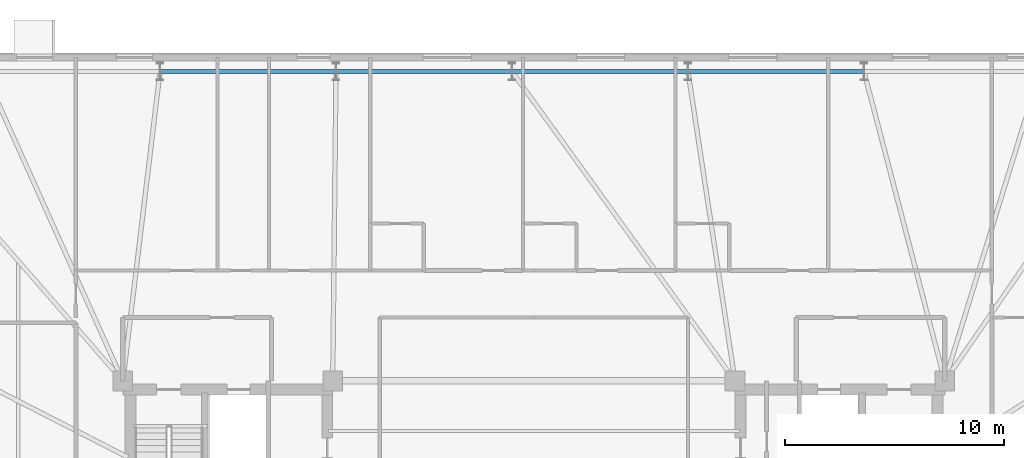
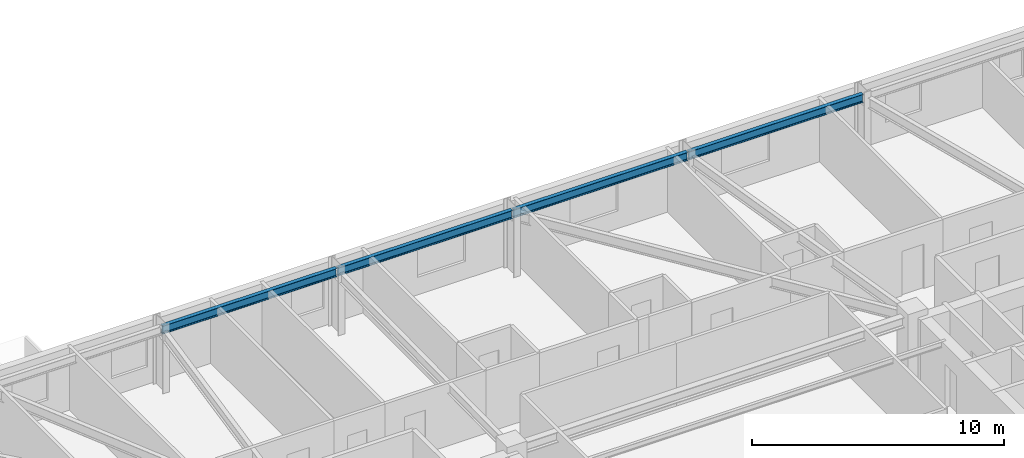
# One storey, part 8 of 17: 4 beams.
"""IFC4 building model written with IfcOpenShell, lengths in metres."""

from ifc_helpers import new_model, si_unit, direction, frame, origin, origin_2d, place, context, subcontext, project, spatial, i_section, extrude, material, material_profile, profile_set, type_object, element, save


model = new_model("IFC4")

# Units and contexts
model_context = context("Model", 3, precision=1e-05, world=origin(), true_north=direction((0.0, 1.0)))
body_context = subcontext(model_context, "Body", "Model", "MODEL_VIEW")
ifc_project = project(units=[si_unit("LENGTHUNIT", "METRE"), si_unit("AREAUNIT", "SQUARE_METRE"), si_unit("VOLUMEUNIT", "CUBIC_METRE"), si_unit("PLANEANGLEUNIT", "RADIAN"), si_unit("MASSUNIT", "GRAM", prefix="KILO")], contexts=[model_context])

# Site, building, storey
site_placement = place(None, origin())
site = spatial("IfcSite", under=ifc_project, at=site_placement, CompositionType="ELEMENT")
building_placement = place(site_placement, origin())
building = spatial("IfcBuilding", under=site, at=building_placement, Name="Qobustan Lattice House", CompositionType="ELEMENT")
storey_placement = place(building_placement, frame((0.0, 0.0, 157.800048828125)))
storey = spatial("IfcBuildingStorey", under=building, at=storey_placement, Name="L44", CompositionType="ELEMENT", Elevation=157.800048828125)

# Beams
ifc_material = material(Name="Steel S355", Category="steel")
ifc_material_profile = material_profile(ifc_material, i_section(OverallWidth=0.179931640625, OverallDepth=0.39990234375, WebThickness=0.008544921875, FlangeThickness=0.013427734375, FilletRadius=0.02099609375, at=origin_2d()), Name="IPE400")
ifc_profile_set = profile_set([ifc_material_profile], Name="Steel S355")
beam_type = type_object("IfcBeamType", Name="BM-SPD-IPE400", PredefinedType="SPANDREL", material=ifc_profile_set)
for number, where, z_axis, x_axis, name in (
    (1, (15.074951171875, 19.75, 2.83984375), (-1.0, 0.0, 0.0), (0.0, -1.0, 0.0), "L44 perimeter spandrel N2-N3"),
    (2, (7.02490234375, 19.75, 2.83984375), (-1.0, 0.0, 0.0), (0.0, -1.0, 0.0), "L44 perimeter spandrel N3-N4"),
    (3, (-1.02490234375, 19.75, 2.83984375), (-1.0, 0.0, 0.0), (0.0, -1.0, 0.0), "L44 perimeter spandrel N4-N5"),
    (4, (-9.074951171875, 19.75, 2.83984375), (-1.0, 0.0, 0.0), (0.0, -1.0, 0.0), "L44 perimeter spandrel N5-N6"),
):
    element("IfcBeam", number, at=place(storey_placement, frame(where, z_axis=z_axis, x_axis=x_axis)), inside=storey, type_object=beam_type, Name=name, PredefinedType="SPANDREL", context=body_context, shape_type="SweptSolid", body=[
        extrude(i_section(OverallWidth=0.179931640625, OverallDepth=0.39990234375, WebThickness=0.008544921875, FlangeThickness=0.013427734375, FilletRadius=0.02099609375, at=origin_2d()), origin(), (0.0, 0.0, 1.0), 8.0),
    ])

save(model, "model.ifc")
